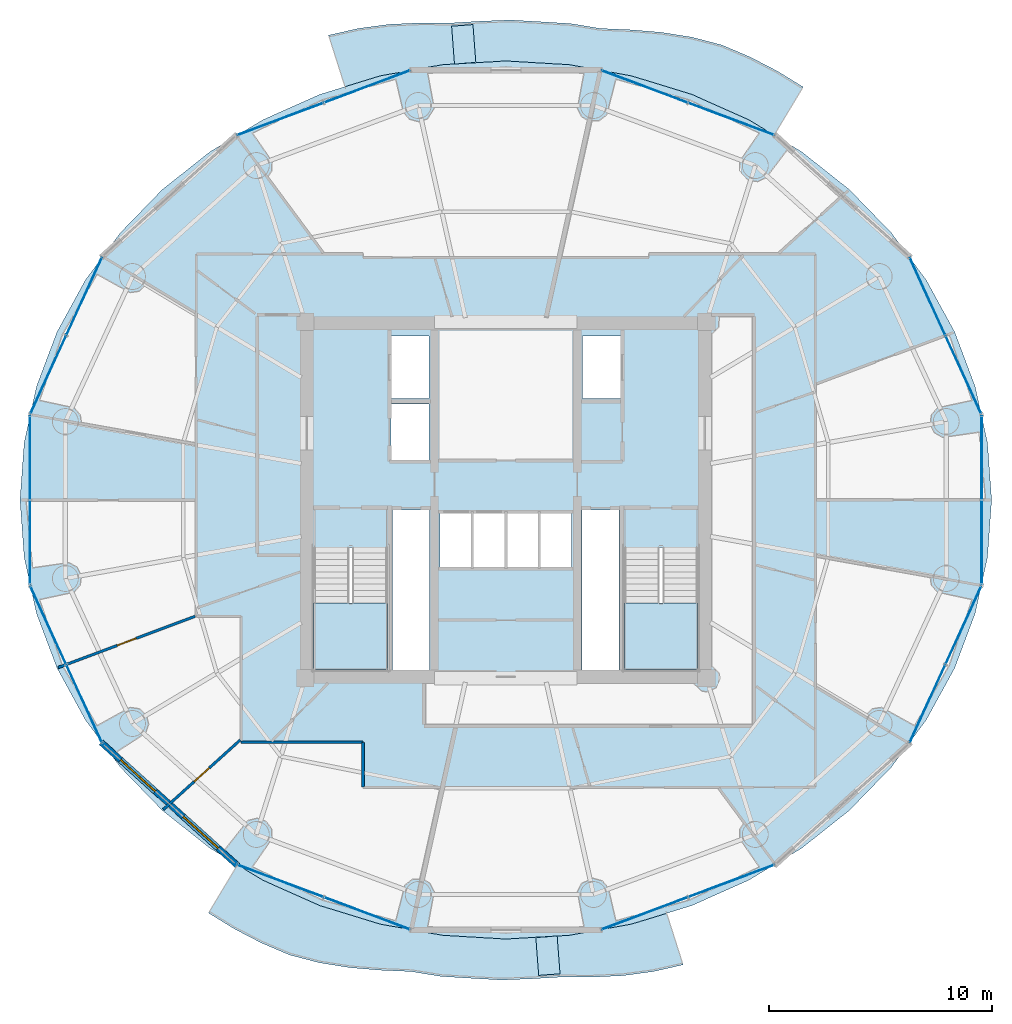
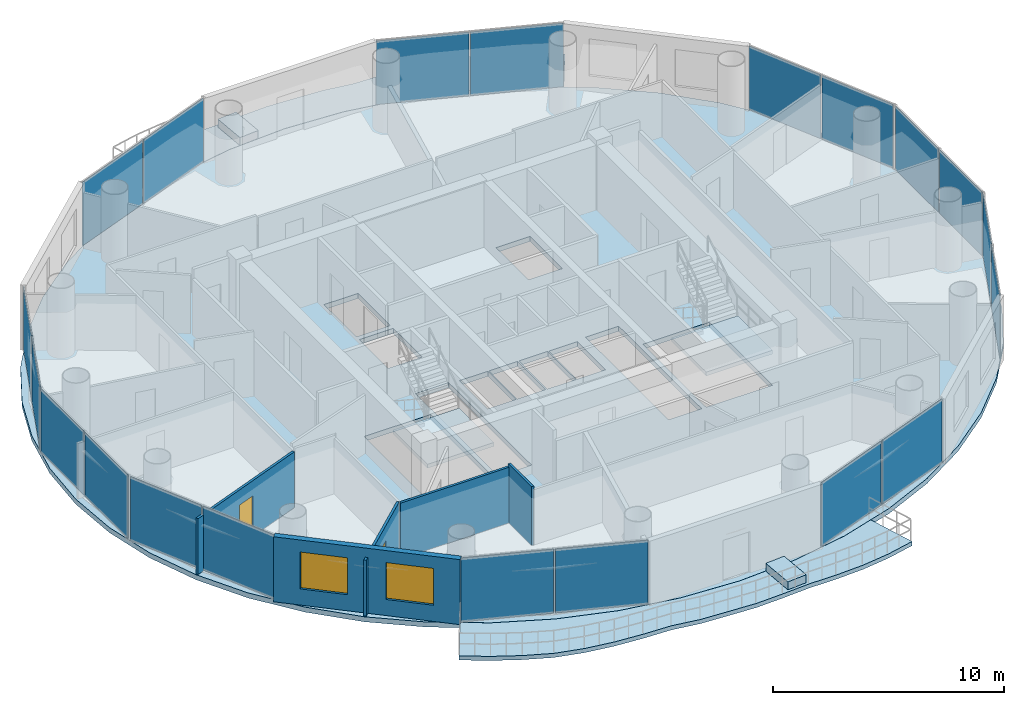
# One storey, part 19 of 26: 20 plates, 7 slabs, 5 walls, 2 doors, 2 windows, 4 openings, 12 elements without a shape of their own.
"""IFC4 building model written with IfcOpenShell, lengths in metres."""

from ifc_helpers import new_model, si_unit, direction, frame, frame_2d, origin, origin_2d, place, context, subcontext, project, spatial, polyline, rectangle, outline, extrude, source, transform, mapped, material, layer, layer_set, type_object, element, fill, aggregate, save


model = new_model("IFC4")

# Units and contexts
model_context = context("Model", 3, precision=1e-05, world=origin(), true_north=direction((-0.2419218956, 0.970295726276)))
body_context = subcontext(model_context, "Body", "Model", "MODEL_VIEW")
ifc_project = project(units=[si_unit("LENGTHUNIT", "METRE"), si_unit("AREAUNIT", "SQUARE_METRE"), si_unit("VOLUMEUNIT", "CUBIC_METRE"), si_unit("PLANEANGLEUNIT", "RADIAN"), si_unit("MASSUNIT", "GRAM", prefix="KILO")], contexts=[model_context])

# Site, building, storey
site_placement = place(None, origin())
site = spatial("IfcSite", under=ifc_project, at=site_placement, CompositionType="ELEMENT")
building_placement = place(site_placement, origin())
building = spatial("IfcBuilding", under=site, at=building_placement, Name="Cobrevalo Terracotta Tower", CompositionType="ELEMENT")
storey_placement = place(building_placement, frame((0.0, 0.0, 231.89990234375)))
storey = spatial("IfcBuildingStorey", under=building, at=storey_placement, Name="L61", CompositionType="ELEMENT", Elevation=231.89990234375)

# Stair, slab
ifc_material_1 = material(Name="Concrete C50", Category="concrete")
stair_type = type_object("IfcStairType", Name="Core protected escape dogleg stair 1600", PredefinedType="HALF_TURN_STAIR", material=ifc_material_1)
stair_1_placement = place(storey_placement, origin())
stair_1 = element("IfcStair", 1, at=stair_1_placement, inside=storey, type_object=stair_type, Name="L61 Protected exit stair ST-1", PredefinedType="HALF_TURN_STAIR")
ifc_layer_1 = layer(ifc_material_1, 0.199951171875)
ifc_layer_set_1 = layer_set([ifc_layer_1], Name="Concrete C50")
slab_type_1 = type_object("IfcSlabType", Name="Reinforced Concrete Stair Landing 200", PredefinedType="LANDING", material=ifc_layer_set_1)
slab_1_placement = place(storey_placement, frame((0.0, 0.0, 1.650146484375)))
slab_1 = element("IfcSlab", 2, at=slab_1_placement, type_object=slab_type_1, Name="ST-1 landing 1", PredefinedType="LANDING", context=body_context, shape_type="SweptSolid", body=[
    extrude(outline(polyline([(29.375, 22.179931640625), (29.375, 19.175048828125), (32.695068359375, 19.175048828125), (32.695068359375, 22.179931640625), (29.375, 22.179931640625)])), origin(), (0.0, 0.0, 1.0), 0.199951171875),
])
aggregate(stair_1, [slab_1])

stair_2_placement = place(storey_placement, origin())
stair_2 = element("IfcStair", 3, at=stair_2_placement, inside=storey, type_object=stair_type, Name="L61 Protected exit stair ST-2", PredefinedType="HALF_TURN_STAIR")
slab_2_placement = place(storey_placement, frame((0.0, 0.0, 1.650146484375)))
slab_2 = element("IfcSlab", 4, at=slab_2_placement, type_object=slab_type_1, Name="ST-2 landing 1", PredefinedType="LANDING", context=body_context, shape_type="SweptSolid", body=[
    extrude(outline(polyline([(43.304931640625, 22.179931640625), (43.304931640625, 19.175048828125), (46.625, 19.175048828125), (46.625, 22.179931640625), (43.304931640625, 22.179931640625)])), origin(), (0.0, 0.0, 1.0), 0.199951171875),
])
aggregate(stair_2, [slab_2])

# Slabs
ifc_material_2 = material(Name="Concrete C45", Category="concrete")
ifc_layer_2 = layer(ifc_material_2, 0.219970703125)
ifc_layer_set_2 = layer_set([ifc_layer_2], Name="Concrete C45")
slab_type_2 = type_object("IfcSlabType", Name="Spiralling cantilevered balcony lobe slab 220 mm", PredefinedType="FLOOR", material=ifc_layer_set_2)
slab_3_placement = place(storey_placement, frame((0.0, 0.0, -0.219970703125)))
element("IfcSlab", 5, at=slab_3_placement, inside=storey, type_object=slab_type_2, Name="L61 spiralling arc balcony slab lobe 1", PredefinedType="FLOOR", context=body_context, shape_type="SweptSolid", body=[
    extrude(outline(polyline([(51.34619140625, 45.330078125), (50.18505859375, 46.044677734375), (48.96435546875, 46.67724609375), (47.69775390625, 47.217041015625), (46.359619140625, 47.56689453125), (44.98974609375, 47.78466796875), (43.6142578125, 47.89990234375), (42.2431640625, 47.959716796875), (40.90869140625, 48.17822265625), (39.55517578125, 48.26123046875), (38.201416015625, 48.3388671875), (36.84765625, 48.28466796875), (35.493896484375, 48.20361328125), (34.126220703125, 48.209228515625), (32.74951171875, 48.14404296875), (31.385009765625, 47.96044921875), (30.042724609375, 47.656005859375), (30.77734375, 45.345947265625), (32.357177734375, 45.83056640625), (35.154296875, 46.33349609375), (38.0, 46.501953125), (40.845703125, 46.33349609375), (43.642822265625, 45.83056640625), (46.34326171875, 45.002197265625), (48.90087890625, 43.862548828125), (50.0478515625, 43.169921875), (51.34619140625, 45.330078125)])), origin(), (0.0, 0.0, 1.0), 0.219970703125),
])
slab_4_placement = place(storey_placement, frame((0.0, 0.0, -0.219970703125)))
element("IfcSlab", 6, at=slab_4_placement, inside=storey, type_object=slab_type_2, Name="L61 spiralling arc balcony slab lobe 2", PredefinedType="FLOOR", context=body_context, shape_type="SweptSolid", body=[
    extrude(outline(polyline([(24.65380859375, 8.27001953125), (25.81494140625, 7.555419921875), (27.03564453125, 6.922607421875), (28.30224609375, 6.383056640625), (29.640380859375, 6.032958984375), (31.01025390625, 5.8154296875), (32.3857421875, 5.7001953125), (33.7568359375, 5.640380859375), (35.09130859375, 5.421630859375), (36.44482421875, 5.3388671875), (37.798583984375, 5.26123046875), (39.15234375, 5.315185546875), (40.506103515625, 5.396484375), (41.873779296875, 5.390869140625), (43.25048828125, 5.4560546875), (44.614990234375, 5.6396484375), (45.957275390625, 5.94384765625), (45.22265625, 8.25390625), (43.642822265625, 7.769287109375), (40.845703125, 7.2666015625), (38.0, 7.097900390625), (35.154296875, 7.2666015625), (32.357177734375, 7.769287109375), (29.65673828125, 8.59765625), (27.09912109375, 9.737548828125), (25.9521484375, 10.43017578125), (24.65380859375, 8.27001953125)])), origin(), (0.0, 0.0, 1.0), 0.219970703125),
])
ifc_material_3 = material(Name="Precast concrete C45", Category="concrete")
ifc_layer_3 = layer(ifc_material_3, 0.419921875)
ifc_layer_set_3 = layer_set([ifc_layer_3], Name="Precast concrete C45")
slab_type_3 = type_object("IfcSlabType", Name="Structural tree planter trough base 420 mm", PredefinedType="USERDEFINED", material=ifc_layer_set_3)
slab_5_placement = place(storey_placement, origin())
element("IfcSlab", 7, at=slab_5_placement, inside=storey, type_object=slab_type_3, Name="L61 structural tree planter trough 1", ObjectType="PLANTER", PredefinedType="USERDEFINED", context=body_context, shape_type="SweptSolid", body=[
    extrude(outline(polyline([(36.653564453125, 46.43701171875), (36.524658203125, 48.13232421875), (35.5673828125, 48.0595703125), (35.6962890625, 46.3642578125), (36.653564453125, 46.43701171875)])), origin(), (0.0, 0.0, 1.0), 0.420166015625),
])
slab_6_placement = place(storey_placement, origin())
element("IfcSlab", 8, at=slab_6_placement, inside=storey, type_object=slab_type_3, Name="L61 structural tree planter trough 2", ObjectType="PLANTER", PredefinedType="USERDEFINED", context=body_context, shape_type="SweptSolid", body=[
    extrude(outline(polyline([(39.346435546875, 7.162841796875), (39.475341796875, 5.4677734375), (40.4326171875, 5.54052734375), (40.3037109375, 7.235595703125), (39.346435546875, 7.162841796875)])), origin(), (0.0, 0.0, 1.0), 0.420166015625),
])
ifc_layer_4 = layer(ifc_material_2, 0.264892578125)
ifc_layer_set_4 = layer_set([ifc_layer_4], Name="Concrete C45")
slab_type_4 = type_object("IfcSlabType", Name="Zone Z4 elliptical floor plate 265 mm", PredefinedType="FLOOR", material=ifc_layer_set_4)
slab_7_placement = place(storey_placement, frame((0.0, 0.0, -0.264892578125)))
element("IfcSlab", 9, at=slab_7_placement, inside=storey, type_object=slab_type_4, Name="L61 indoor elliptical floor slab", PredefinedType="FLOOR", context=body_context, shape_type="SweptSolid", body=[
    extrude(outline(polyline([(59.613525390625, 24.228515625), (59.05712890625, 21.701171875), (58.140625, 19.26123046875), (56.87939453125, 16.949951171875), (55.295166015625, 14.807373046875), (53.4150390625, 12.8701171875), (51.27099609375, 11.1708984375), (48.89990234375, 9.7392578125), (46.342529296875, 8.599609375), (43.642333984375, 7.771240234375), (40.845458984375, 7.2685546875), (38.0, 7.10009765625), (35.154541015625, 7.2685546875), (32.357666015625, 7.771240234375), (29.657470703125, 8.599609375), (27.10009765625, 9.7392578125), (24.72900390625, 11.1708984375), (22.5849609375, 12.8701171875), (20.704833984375, 14.807373046875), (19.12060546875, 16.949951171875), (17.859375, 19.26123046875), (16.94287109375, 21.701171875), (16.386474609375, 24.228515625), (16.199951171875, 26.800048828125), (16.386474609375, 29.371337890625), (16.94287109375, 31.898681640625), (17.859375, 34.3388671875), (19.12060546875, 36.64990234375), (20.704833984375, 38.79248046875), (22.5849609375, 40.72998046875), (24.72900390625, 42.428955078125), (27.10009765625, 43.860595703125), (29.657470703125, 45.00048828125), (32.357666015625, 45.828857421875), (35.154541015625, 46.33154296875), (38.0, 46.5), (40.845458984375, 46.33154296875), (43.642333984375, 45.828857421875), (46.342529296875, 45.00048828125), (48.89990234375, 43.860595703125), (51.27099609375, 42.428955078125), (53.4150390625, 40.72998046875), (55.295166015625, 38.79248046875), (56.87939453125, 36.64990234375), (58.140625, 34.3388671875), (59.05712890625, 31.898681640625), (59.613525390625, 29.371337890625), (59.800048828125, 26.800048828125), (59.613525390625, 24.228515625)]), holes=[polyline([(32.695068359375, 19.175048828125), (32.695068359375, 24.659912109375), (29.375, 24.659912109375), (29.375, 19.175048828125), (32.695068359375, 19.175048828125)]), polyline([(34.574951171875, 26.360107421875), (32.919921875, 26.360107421875), (32.919921875, 19.175048828125), (34.574951171875, 19.175048828125), (34.574951171875, 26.360107421875)]), polyline([(36.47998046875, 26.25), (35.050048828125, 26.25), (35.050048828125, 23.800048828125), (36.47998046875, 23.800048828125), (36.47998046875, 26.25)]), polyline([(37.9599609375, 23.800048828125), (37.9599609375, 26.25), (36.530029296875, 26.25), (36.530029296875, 23.800048828125), (37.9599609375, 23.800048828125)]), polyline([(34.550048828125, 28.60009765625), (34.550048828125, 31.10009765625), (32.85009765625, 31.10009765625), (32.85009765625, 28.60009765625), (34.550048828125, 28.60009765625)]), polyline([(34.550048828125, 34.14990234375), (32.85009765625, 34.14990234375), (32.85009765625, 31.35009765625), (34.550048828125, 31.35009765625), (34.550048828125, 34.14990234375)]), polyline([(43.304931640625, 19.175048828125), (46.625, 19.175048828125), (46.625, 24.659912109375), (43.304931640625, 24.659912109375), (43.304931640625, 19.175048828125)]), polyline([(43.080078125, 19.175048828125), (43.080078125, 26.360107421875), (41.425048828125, 26.360107421875), (41.425048828125, 19.175048828125), (43.080078125, 19.175048828125)]), polyline([(39.469970703125, 26.25), (38.0400390625, 26.25), (38.0400390625, 23.800048828125), (39.469970703125, 23.800048828125), (39.469970703125, 26.25)]), polyline([(40.949951171875, 23.800048828125), (40.949951171875, 26.25), (39.52001953125, 26.25), (39.52001953125, 23.800048828125), (40.949951171875, 23.800048828125)]), polyline([(43.14990234375, 31.35009765625), (43.14990234375, 34.14990234375), (41.449951171875, 34.14990234375), (41.449951171875, 31.35009765625), (43.14990234375, 31.35009765625)])]), origin(), (0.0, 0.0, 1.0), 0.264892578125),
])

# Curtain wall, plates
ifc_material_4 = material(Name="Anodized aluminium", Category="aluminium")
curtain_wall_type = type_object("IfcCurtainWallType", Name="Mid-tower high-wind unitised curtain wall CW-U2", PredefinedType="NOTDEFINED", material=ifc_material_4)
curtain_wall_1_placement = place(storey_placement, origin())
curtain_wall_1 = element("IfcCurtainWall", 10, at=curtain_wall_1_placement, inside=storey, type_object=curtain_wall_type, Name="L61 curtain wall CW-L61-S01", PredefinedType="NOTDEFINED")
ifc_material_5 = material(Name="Solar-control low-E double glazing", Category="glass")
ifc_layer_5 = layer(ifc_material_5, 0.028076171875)
ifc_layer_set_5 = layer_set([ifc_layer_5], Name="Solar-control low-E double glazing")
plate_type = type_object("IfcPlateType", Name="Tower solar-control low-E vision glass panel 28 mm", PredefinedType="CURTAIN_PANEL", material=ifc_layer_set_5)
shared_shape_1 = source(origin(), body_context, "Body", "SweptSolid", [
    extrude(rectangle(XDim=3.780029296875, YDim=0.035888671875, at=origin_2d()), origin(), (0.0, 0.0, 1.0), 3.35498046875),
])
plate_1_placement = place(storey_placement, frame((58.53076171875, 32.42822265625, 0.0400390625), z_axis=(0.0, 0.0, 1.0), x_axis=(-0.416731425355, 0.909029657999, 0.0)))
plate_1 = element("IfcPlate", 11, at=plate_1_placement, type_object=plate_type, Name="CW-L61-S01 glazing panel B01", PredefinedType="CURTAIN_PANEL", context=body_context, shape_type="MappedRepresentation", body=[
    mapped(shared_shape_1, transform((0.0, 0.0, 0.0), scale=1.0)),
])
plate_2_placement = place(storey_placement, frame((56.922119140625, 35.937255859375, 0.0400390625), z_axis=(0.0, 0.0, 1.0), x_axis=(-0.416731425355, 0.909029657999, 0.0)))
plate_2 = element("IfcPlate", 12, at=plate_2_placement, type_object=plate_type, Name="CW-L61-S01 glazing panel B02", PredefinedType="CURTAIN_PANEL", context=body_context, shape_type="MappedRepresentation", body=[
    mapped(shared_shape_1, transform((0.0, 0.0, 0.0), scale=1.0)),
])
aggregate(curtain_wall_1, [plate_1, plate_2])

curtain_wall_2_placement = place(storey_placement, origin())
curtain_wall_2 = element("IfcCurtainWall", 13, at=curtain_wall_2_placement, inside=storey, type_object=curtain_wall_type, Name="L61 curtain wall CW-L61-S07", PredefinedType="NOTDEFINED")
plate_3_placement = place(storey_placement, frame((19.077880859375, 35.937255859375, 0.0400390625), z_axis=(0.0, 0.0, 1.0), x_axis=(-0.416731425355, -0.909029657999, 0.0)))
plate_3 = element("IfcPlate", 14, at=plate_3_placement, type_object=plate_type, Name="CW-L61-S07 glazing panel B01", PredefinedType="CURTAIN_PANEL", context=body_context, shape_type="MappedRepresentation", body=[
    mapped(shared_shape_1, transform((0.0, 0.0, 0.0), scale=1.0)),
])
plate_4_placement = place(storey_placement, frame((17.46923828125, 32.42822265625, 0.0400390625), z_axis=(0.0, 0.0, 1.0), x_axis=(-0.416731425355, -0.909029657999, 0.0)))
plate_4 = element("IfcPlate", 15, at=plate_4_placement, type_object=plate_type, Name="CW-L61-S07 glazing panel B02", PredefinedType="CURTAIN_PANEL", context=body_context, shape_type="MappedRepresentation", body=[
    mapped(shared_shape_1, transform((0.0, 0.0, 0.0), scale=1.0)),
])
aggregate(curtain_wall_2, [plate_3, plate_4])

curtain_wall_3_placement = place(storey_placement, origin())
curtain_wall_3 = element("IfcCurtainWall", 16, at=curtain_wall_3_placement, inside=storey, type_object=curtain_wall_type, Name="L61 curtain wall CW-L61-S09", PredefinedType="NOTDEFINED")
plate_5_placement = place(storey_placement, frame((17.46923828125, 21.171630859375, 0.0400390625), z_axis=(0.0, 0.0, 1.0), x_axis=(0.416731425355, -0.909029657999, 0.0)))
plate_5 = element("IfcPlate", 17, at=plate_5_placement, type_object=plate_type, Name="CW-L61-S09 glazing panel B01", PredefinedType="CURTAIN_PANEL", context=body_context, shape_type="MappedRepresentation", body=[
    mapped(shared_shape_1, transform((0.0, 0.0, 0.0), scale=1.0)),
])
plate_6_placement = place(storey_placement, frame((19.077880859375, 17.662841796875, 0.0400390625), z_axis=(0.0, 0.0, 1.0), x_axis=(0.416731425355, -0.909029657999, 0.0)))
plate_6 = element("IfcPlate", 18, at=plate_6_placement, type_object=plate_type, Name="CW-L61-S09 glazing panel B02", PredefinedType="CURTAIN_PANEL", context=body_context, shape_type="MappedRepresentation", body=[
    mapped(shared_shape_1, transform((0.0, 0.0, 0.0), scale=1.0)),
])
aggregate(curtain_wall_3, [plate_5, plate_6])

curtain_wall_4_placement = place(storey_placement, origin())
curtain_wall_4 = element("IfcCurtainWall", 19, at=curtain_wall_4_placement, inside=storey, type_object=curtain_wall_type, Name="L61 curtain wall CW-L61-S15", PredefinedType="NOTDEFINED")
plate_7_placement = place(storey_placement, frame((56.922119140625, 17.662841796875, 0.0400390625), z_axis=(0.0, 0.0, 1.0), x_axis=(0.416731425355, 0.909029657999, 0.0)))
plate_7 = element("IfcPlate", 20, at=plate_7_placement, type_object=plate_type, Name="CW-L61-S15 glazing panel B01", PredefinedType="CURTAIN_PANEL", context=body_context, shape_type="MappedRepresentation", body=[
    mapped(shared_shape_1, transform((0.0, 0.0, 0.0), scale=1.0)),
])
plate_8_placement = place(storey_placement, frame((58.53076171875, 21.171630859375, 0.0400390625), z_axis=(0.0, 0.0, 1.0), x_axis=(0.416731425355, 0.909029657999, 0.0)))
plate_8 = element("IfcPlate", 21, at=plate_8_placement, type_object=plate_type, Name="CW-L61-S15 glazing panel B02", PredefinedType="CURTAIN_PANEL", context=body_context, shape_type="MappedRepresentation", body=[
    mapped(shared_shape_1, transform((0.0, 0.0, 0.0), scale=1.0)),
])
aggregate(curtain_wall_4, [plate_7, plate_8])

curtain_wall_5_placement = place(storey_placement, origin())
curtain_wall_5 = element("IfcCurtainWall", 22, at=curtain_wall_5_placement, inside=storey, type_object=curtain_wall_type, Name="L61 curtain wall CW-L61-S08", PredefinedType="NOTDEFINED")
shared_shape_2 = source(origin(), body_context, "Body", "SweptSolid", [
    extrude(rectangle(XDim=3.71728515625, YDim=0.035888671875, at=origin_2d()), origin(), (0.0, 0.0, 1.0), 3.35498046875),
])
plate_9_placement = place(storey_placement, frame((16.648193359375, 28.69873046875, 0.0400390625), z_axis=(0.0, 0.0, 1.0), x_axis=(0.0, -1.0, 0.0)))
plate_9 = element("IfcPlate", 23, at=plate_9_placement, type_object=plate_type, Name="CW-L61-S08 glazing panel B01", PredefinedType="CURTAIN_PANEL", context=body_context, shape_type="MappedRepresentation", body=[
    mapped(shared_shape_2, transform((0.0, 0.0, 0.0), scale=1.0)),
])
plate_10_placement = place(storey_placement, frame((16.648193359375, 24.9013671875, 0.0400390625), z_axis=(0.0, 0.0, 1.0), x_axis=(0.0, -1.0, 0.0)))
plate_10 = element("IfcPlate", 24, at=plate_10_placement, type_object=plate_type, Name="CW-L61-S08 glazing panel B02", PredefinedType="CURTAIN_PANEL", context=body_context, shape_type="MappedRepresentation", body=[
    mapped(shared_shape_2, transform((0.0, 0.0, 0.0), scale=1.0)),
])
aggregate(curtain_wall_5, [plate_9, plate_10])

curtain_wall_6_placement = place(storey_placement, origin())
curtain_wall_6 = element("IfcCurtainWall", 25, at=curtain_wall_6_placement, inside=storey, type_object=curtain_wall_type, Name="L61 curtain wall CW-L61-S16", PredefinedType="NOTDEFINED")
plate_11_placement = place(storey_placement, frame((59.351806640625, 24.9013671875, 0.0400390625), z_axis=(0.0, 0.0, 1.0), x_axis=(0.0, 1.0, 0.0)))
plate_11 = element("IfcPlate", 26, at=plate_11_placement, type_object=plate_type, Name="CW-L61-S16 glazing panel B01", PredefinedType="CURTAIN_PANEL", context=body_context, shape_type="MappedRepresentation", body=[
    mapped(shared_shape_2, transform((0.0, 0.0, 0.0), scale=1.0)),
])
plate_12_placement = place(storey_placement, frame((59.351806640625, 28.69873046875, 0.0400390625), z_axis=(0.0, 0.0, 1.0), x_axis=(0.0, 1.0, 0.0)))
plate_12 = element("IfcPlate", 27, at=plate_12_placement, type_object=plate_type, Name="CW-L61-S16 glazing panel B02", PredefinedType="CURTAIN_PANEL", context=body_context, shape_type="MappedRepresentation", body=[
    mapped(shared_shape_2, transform((0.0, 0.0, 0.0), scale=1.0)),
])
aggregate(curtain_wall_6, [plate_11, plate_12])

curtain_wall_7_placement = place(storey_placement, origin())
curtain_wall_7 = element("IfcCurtainWall", 28, at=curtain_wall_7_placement, inside=storey, type_object=curtain_wall_type, Name="L61 curtain wall CW-L61-S03", PredefinedType="NOTDEFINED")
shared_shape_3 = source(origin(), body_context, "Body", "SweptSolid", [
    extrude(rectangle(XDim=4.069580078125, YDim=0.035888671875, at=origin_2d()), origin(), (0.0, 0.0, 1.0), 3.35498046875),
])
plate_13_placement = place(storey_placement, frame((48.114013671875, 43.896240234375, 0.0400390625), z_axis=(0.0, 0.0, 1.0), x_axis=(-0.936557839879, 0.350513070458, 0.0)))
plate_13 = element("IfcPlate", 29, at=plate_13_placement, type_object=plate_type, Name="CW-L61-S03 glazing panel B01", PredefinedType="CURTAIN_PANEL", context=body_context, shape_type="MappedRepresentation", body=[
    mapped(shared_shape_3, transform((0.0, 0.0, 0.0), scale=1.0)),
])
plate_14_placement = place(storey_placement, frame((44.227783203125, 45.350830078125, 0.0400390625), z_axis=(0.0, 0.0, 1.0), x_axis=(-0.936557839879, 0.350513070458, 0.0)))
plate_14 = element("IfcPlate", 30, at=plate_14_placement, type_object=plate_type, Name="CW-L61-S03 glazing panel B02", PredefinedType="CURTAIN_PANEL", context=body_context, shape_type="MappedRepresentation", body=[
    mapped(shared_shape_3, transform((0.0, 0.0, 0.0), scale=1.0)),
])
aggregate(curtain_wall_7, [plate_13, plate_14])

curtain_wall_8_placement = place(storey_placement, origin())
curtain_wall_8 = element("IfcCurtainWall", 31, at=curtain_wall_8_placement, inside=storey, type_object=curtain_wall_type, Name="L61 curtain wall CW-L61-S05", PredefinedType="NOTDEFINED")
plate_15_placement = place(storey_placement, frame((31.772216796875, 45.350830078125, 0.0400390625), z_axis=(0.0, 0.0, 1.0), x_axis=(-0.936557839879, -0.350513070458, 0.0)))
plate_15 = element("IfcPlate", 32, at=plate_15_placement, type_object=plate_type, Name="CW-L61-S05 glazing panel B01", PredefinedType="CURTAIN_PANEL", context=body_context, shape_type="MappedRepresentation", body=[
    mapped(shared_shape_3, transform((0.0, 0.0, 0.0), scale=1.0)),
])
plate_16_placement = place(storey_placement, frame((27.885986328125, 43.896240234375, 0.0400390625), z_axis=(0.0, 0.0, 1.0), x_axis=(-0.936557839879, -0.350513070458, 0.0)))
plate_16 = element("IfcPlate", 33, at=plate_16_placement, type_object=plate_type, Name="CW-L61-S05 glazing panel B02", PredefinedType="CURTAIN_PANEL", context=body_context, shape_type="MappedRepresentation", body=[
    mapped(shared_shape_3, transform((0.0, 0.0, 0.0), scale=1.0)),
])
aggregate(curtain_wall_8, [plate_15, plate_16])

curtain_wall_9_placement = place(storey_placement, origin())
curtain_wall_9 = element("IfcCurtainWall", 34, at=curtain_wall_9_placement, inside=storey, type_object=curtain_wall_type, Name="L61 curtain wall CW-L61-S11", PredefinedType="NOTDEFINED")
plate_17_placement = place(storey_placement, frame((27.885986328125, 9.70361328125, 0.0400390625), z_axis=(0.0, 0.0, 1.0), x_axis=(0.936557839879, -0.350513070458, 0.0)))
plate_17 = element("IfcPlate", 35, at=plate_17_placement, type_object=plate_type, Name="CW-L61-S11 glazing panel B01", PredefinedType="CURTAIN_PANEL", context=body_context, shape_type="MappedRepresentation", body=[
    mapped(shared_shape_3, transform((0.0, 0.0, 0.0), scale=1.0)),
])
plate_18_placement = place(storey_placement, frame((31.772216796875, 8.249267578125, 0.0400390625), z_axis=(0.0, 0.0, 1.0), x_axis=(0.936557839879, -0.350513070458, 0.0)))
plate_18 = element("IfcPlate", 36, at=plate_18_placement, type_object=plate_type, Name="CW-L61-S11 glazing panel B02", PredefinedType="CURTAIN_PANEL", context=body_context, shape_type="MappedRepresentation", body=[
    mapped(shared_shape_3, transform((0.0, 0.0, 0.0), scale=1.0)),
])
aggregate(curtain_wall_9, [plate_17, plate_18])

curtain_wall_10_placement = place(storey_placement, origin())
curtain_wall_10 = element("IfcCurtainWall", 37, at=curtain_wall_10_placement, inside=storey, type_object=curtain_wall_type, Name="L61 curtain wall CW-L61-S13", PredefinedType="NOTDEFINED")
plate_19_placement = place(storey_placement, frame((44.227783203125, 8.249267578125, 0.0400390625), z_axis=(0.0, 0.0, 1.0), x_axis=(0.936557839879, 0.350513070458, 0.0)))
plate_19 = element("IfcPlate", 38, at=plate_19_placement, type_object=plate_type, Name="CW-L61-S13 glazing panel B01", PredefinedType="CURTAIN_PANEL", context=body_context, shape_type="MappedRepresentation", body=[
    mapped(shared_shape_3, transform((0.0, 0.0, 0.0), scale=1.0)),
])
plate_20_placement = place(storey_placement, frame((48.114013671875, 9.70361328125, 0.0400390625), z_axis=(0.0, 0.0, 1.0), x_axis=(0.936557839879, 0.350513070458, 0.0)))
plate_20 = element("IfcPlate", 39, at=plate_20_placement, type_object=plate_type, Name="CW-L61-S13 glazing panel B02", PredefinedType="CURTAIN_PANEL", context=body_context, shape_type="MappedRepresentation", body=[
    mapped(shared_shape_3, transform((0.0, 0.0, 0.0), scale=1.0)),
])
aggregate(curtain_wall_10, [plate_19, plate_20])

# Wall, openings, windows
ifc_material_6 = material(Name="Autoclaved aerated concrete block", Category="concrete")
ifc_layer_6 = layer(ifc_material_6, 0.280029296875)
ifc_layer_set_6 = layer_set([ifc_layer_6], Name="Autoclaved aerated concrete block")
wall_type_1 = type_object("IfcWallType", Name="Insulated tower spandrel & pier wall 280 mm with terracotta rainscreen", PredefinedType="SOLIDWALL", material=ifc_layer_set_6)
wall_1_placement = place(storey_placement, frame((19.839599609375, 15.925537109375, 0.0), z_axis=(0.0, 0.0, 1.0), x_axis=(0.741986838603, -0.670414447443, 0.0)))
wall_1 = element("IfcWall", 40, at=wall_1_placement, inside=storey, type_object=wall_type_1, Name="L61 terracotta rainscreen pier wall S10", PredefinedType="SOLIDWALL", context=body_context, shape_type="SweptSolid", body=[
    extrude(rectangle(XDim=8.2548828125, YDim=0.280029296875, at=frame_2d((4.12744140625, 0.0))), origin(), (0.0, 0.0, 1.0), 3.43505859375),
])
opening_1_placement = place(wall_1_placement, frame((1.1787109375, 0.0, 0.85009765625)))
opening_1 = element("IfcOpeningElement", 41, at=opening_1_placement, cuts=wall_1, Name="Opening WN-10", PredefinedType="OPENING", context=body_context, shape_type="SweptSolid", body=[
    extrude(rectangle(XDim=2.10009765625, YDim=1.949951171875, at=frame_2d((1.050048828125, 0.97509765625))), frame((0.0, 0.14990234375, 0.0), z_axis=(0.0, -1.0, 0.0), x_axis=(1.0, 0.0, 0.0)), (0.0, 0.0, 1.0), 0.300048828125),
])
opening_2_placement = place(wall_1_placement, frame((4.97607421875, 0.0, 0.85009765625)))
opening_2 = element("IfcOpeningElement", 42, at=opening_2_placement, cuts=wall_1, Name="Opening WN-10", PredefinedType="OPENING", context=body_context, shape_type="SweptSolid", body=[
    extrude(rectangle(XDim=2.10009765625, YDim=1.949951171875, at=frame_2d((1.050048828125, 0.97509765625))), frame((0.0, 0.14990234375, 0.0), z_axis=(0.0, -1.0, 0.0), x_axis=(1.0, 0.0, 0.0)), (0.0, 0.0, 1.0), 0.300048828125),
])
window_type = type_object("IfcWindowType", Name="Wide panoramic low-E aluminium window 2100x1950", PartitioningType="SINGLE_PANEL", PredefinedType="WINDOW", material=ifc_material_5)
shared_shape_4 = source(origin(), body_context, "Body", "SweptSolid", [
    extrude(rectangle(XDim=2.10009765625, YDim=1.949951171875, at=frame_2d((1.050048828125, 0.97509765625))), frame((0.0, 0.030029296875, 0.0), z_axis=(0.0, -1.0, 0.0), x_axis=(1.0, 0.0, 0.0)), (0.0, 0.0, 1.0), 0.06005859375),
])
window_1_placement = place(opening_1_placement, origin())
window_1 = element("IfcWindow", 43, at=window_1_placement, inside=storey, type_object=window_type, Name="L61 suite window S10A", OverallHeight=1.949951171875, OverallWidth=2.10009765625, PartitioningType="SINGLE_PANEL", PredefinedType="WINDOW", context=body_context, shape_type="MappedRepresentation", body=[
    mapped(shared_shape_4, transform((0.0, 0.0, 0.0), scale=1.0)),
])
fill(opening_1, window_1)
window_2_placement = place(opening_2_placement, origin())
window_2 = element("IfcWindow", 44, at=window_2_placement, inside=storey, type_object=window_type, Name="L61 suite window S10B", OverallHeight=1.949951171875, OverallWidth=2.10009765625, PartitioningType="SINGLE_PANEL", PredefinedType="WINDOW", context=body_context, shape_type="MappedRepresentation", body=[
    mapped(shared_shape_4, transform((0.0, 0.0, 0.0), scale=1.0)),
])
fill(opening_2, window_2)

# Walls
ifc_material_7 = material(Name="Gypsum board on steel stud", Category="steel")
ifc_layer_7 = layer(ifc_material_7, 0.1201171875)
ifc_layer_set_7 = layer_set([ifc_layer_7], Name="Gypsum board on steel stud")
wall_type_2 = type_object("IfcWallType", Name="Residential internal acoustic stud partition 120 mm", PredefinedType="PARTITIONING", material=ifc_layer_set_7)
wall_2_placement = place(storey_placement, frame((31.590087890625, 13.9150390625, 0.0), z_axis=(0.0, 0.0, 1.0), x_axis=(0.0, 1.0, 0.0)))
element("IfcWall", 45, at=wall_2_placement, inside=storey, type_object=wall_type_2, Name="L61 interior partition IW-L61-U1-RING1_0", PredefinedType="PARTITIONING", context=body_context, shape_type="SweptSolid", body=[
    extrude(rectangle(XDim=2.010009765625, YDim=0.1201171875, at=frame_2d((1.0048828125, 0.0))), origin(), (0.0, 0.0, 1.0), 3.110107421875),
])
wall_3_placement = place(storey_placement, frame((31.590087890625, 15.925048828125, 0.0), z_axis=(0.0, 0.0, 1.0), x_axis=(-1.0, 0.0, 0.0)))
element("IfcWall", 46, at=wall_3_placement, inside=storey, type_object=wall_type_2, Name="L61 interior partition IW-L61-U1-RING2_0", PredefinedType="PARTITIONING", context=body_context, shape_type="SweptSolid", body=[
    extrude(rectangle(XDim=5.465087890625, YDim=0.1201171875, at=frame_2d((2.732421875, 0.0))), origin(), (0.0, 0.0, 1.0), 2.951171875),
])

# Wall, opening, door
wall_4_placement = place(storey_placement, frame((24.056884765625, 21.5810546875, 0.0), z_axis=(0.0, 0.0, 1.0), x_axis=(-0.936527968377, -0.350592875637, 0.0)))
wall_4 = element("IfcWall", 47, at=wall_4_placement, inside=storey, type_object=wall_type_2, Name="L61 interior partition IW-L61-U1-ORAD4", PredefinedType="PARTITIONING", context=body_context, shape_type="SweptSolid", body=[
    extrude(rectangle(XDim=6.556396484375, YDim=0.1201171875, at=frame_2d((3.2783203125, 0.0))), origin(), (0.0, 0.0, 1.0), 2.951171875),
])
opening_3_placement = place(wall_4_placement, frame((2.828125, 0.0, 0.0)))
opening_3 = element("IfcOpeningElement", 48, at=opening_3_placement, cuts=wall_4, Name="Opening ID-12", PredefinedType="OPENING", context=body_context, shape_type="SweptSolid", body=[
    extrude(rectangle(XDim=0.89990234375, YDim=2.14990234375, at=frame_2d((0.449951171875, 1.074951171875))), frame((0.0, 0.070068359375, 0.0), z_axis=(0.0, -1.0, 0.0), x_axis=(1.0, 0.0, 0.0)), (0.0, 0.0, 1.0), 0.14013671875),
])
ifc_material_8 = material(Name="Engineered timber", Category="wood")
door_type = type_object("IfcDoorType", Name="Internal residence & suite timber door 900x2150", OperationType="NOTDEFINED", PredefinedType="DOOR", material=ifc_material_8)
shared_shape_5 = source(origin(), body_context, "Body", "SweptSolid", [
    extrude(rectangle(XDim=0.89990234375, YDim=2.14990234375, at=frame_2d((0.449951171875, 1.074951171875))), frame((0.0, 0.02490234375, 0.0), z_axis=(0.0, -1.0, 0.0), x_axis=(1.0, 0.0, 0.0)), (0.0, 0.0, 1.0), 0.050048828125),
])
door_1_placement = place(opening_3_placement, origin())
door_1 = element("IfcDoor", 49, at=door_1_placement, inside=storey, type_object=door_type, Name="Flat L61A Penthouse Family Lounge internal door", OperationType="SINGLE_SWING_LEFT", OverallHeight=2.14990234375, OverallWidth=0.89990234375, PredefinedType="DOOR", context=body_context, shape_type="MappedRepresentation", body=[
    mapped(shared_shape_5, transform((0.0, 0.0, 0.0), scale=1.0)),
])
fill(opening_3, door_1)

wall_5_placement = place(storey_placement, frame((26.0791015625, 16.02734375, 0.0), z_axis=(0.0, 0.0, 1.0), x_axis=(-0.741950057395, -0.67045515311, 0.0)))
wall_5 = element("IfcWall", 50, at=wall_5_placement, inside=storey, type_object=wall_type_2, Name="L61 interior partition IW-L61-U1-ORAD5", PredefinedType="PARTITIONING", context=body_context, shape_type="SweptSolid", body=[
    extrude(rectangle(XDim=4.6474609375, YDim=0.1201171875, at=frame_2d((2.32373046875, 0.0))), origin(), (0.0, 0.0, 1.0), 2.951171875),
])
opening_4_placement = place(wall_5_placement, frame((1.873779296875, 0.0, 0.0)))
opening_4 = element("IfcOpeningElement", 51, at=opening_4_placement, cuts=wall_5, Name="Opening ID-12", PredefinedType="OPENING", context=body_context, shape_type="SweptSolid", body=[
    extrude(rectangle(XDim=0.89990234375, YDim=2.14990234375, at=frame_2d((0.449951171875, 1.074951171875))), frame((0.0, 0.070068359375, 0.0), z_axis=(0.0, -1.0, 0.0), x_axis=(1.0, 0.0, 0.0)), (0.0, 0.0, 1.0), 0.14013671875),
])
door_2_placement = place(opening_4_placement, origin())
door_2 = element("IfcDoor", 52, at=door_2_placement, inside=storey, type_object=door_type, Name="Flat L61A Private Cinema Room internal door", OperationType="SINGLE_SWING_RIGHT", OverallHeight=2.14990234375, OverallWidth=0.89990234375, PredefinedType="DOOR", context=body_context, shape_type="MappedRepresentation", body=[
    mapped(shared_shape_5, transform((0.0, 0.0, 0.0), scale=1.0)),
])
fill(opening_4, door_2)

save(model, "model.ifc")
